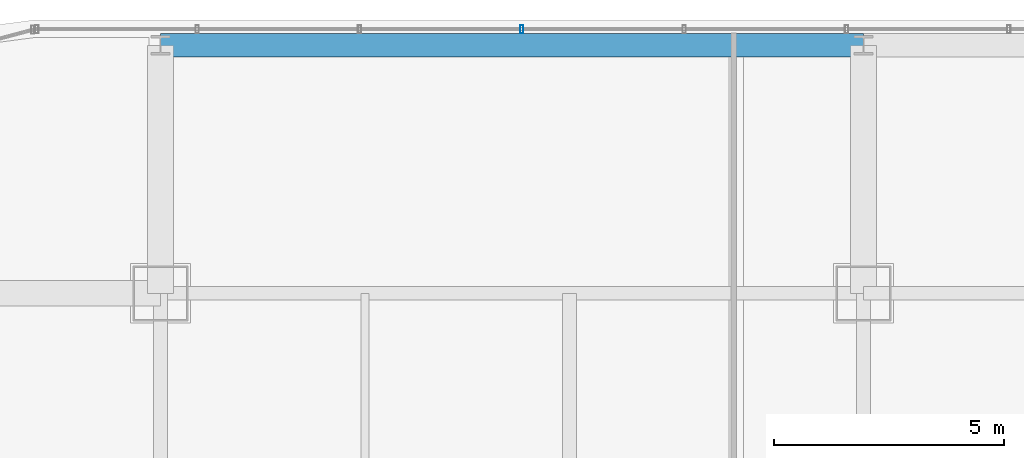
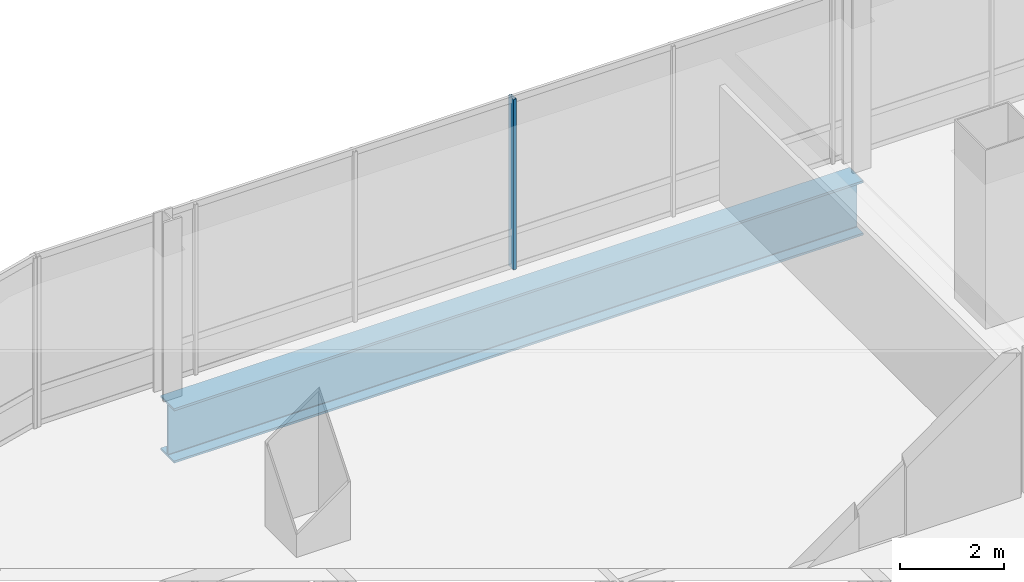
# One storey, part 24 of 41: 1 beam, 1 member, 1 element without a shape of its own.
"""IFC4 building model written with IfcOpenShell, lengths in metres."""

from ifc_helpers import new_model, si_unit, direction, frame, origin, origin_2d, place, context, subcontext, project, spatial, hollow_rectangle, i_section, extrude, material, material_profile, profile_set, type_object, element, aggregate, save


model = new_model("IFC4")

# Units and contexts
model_context = context("Model", 3, precision=1e-05, world=origin(), true_north=direction((0.0, 1.0)))
body_context = subcontext(model_context, "Body", "Model", "MODEL_VIEW")
ifc_project = project(units=[si_unit("LENGTHUNIT", "METRE"), si_unit("AREAUNIT", "SQUARE_METRE"), si_unit("VOLUMEUNIT", "CUBIC_METRE"), si_unit("PLANEANGLEUNIT", "RADIAN"), si_unit("MASSUNIT", "GRAM", prefix="KILO")], contexts=[model_context])

# Site, building, storey
site_placement = place(None, origin())
site = spatial("IfcSite", under=ifc_project, at=site_placement, CompositionType="ELEMENT")
building_placement = place(site_placement, origin())
building = spatial("IfcBuilding", under=site, at=building_placement, Name="Punatoya Terracotta Tower", CompositionType="ELEMENT")
storey_placement = place(building_placement, frame((0.0, 0.0, 288.0)))
storey = spatial("IfcBuildingStorey", under=building, at=storey_placement, Name="L68", CompositionType="ELEMENT", Elevation=288.0)

# Beam
ifc_material_1 = material(Name="Steel S460", Category="steel")
ifc_material_profile_1 = material_profile(ifc_material_1, i_section(OverallWidth=0.52001953125, OverallDepth=1.280029296875, WebThickness=0.031982421875, FlangeThickness=0.050048828125, FilletRadius=0.01806640625, at=origin_2d()))
ifc_profile_set_1 = profile_set([ifc_material_profile_1], Name="Steel S460")
beam_type = type_object("IfcBeamType", Name="BM-TG-NCK", PredefinedType="BEAM", material=ifc_profile_set_1)
beam_placement = place(storey_placement, frame((-19.10009765625, 22.89990234375, -0.840087890625), z_axis=(1.0, 0.0, 0.0), x_axis=(0.0, 1.0, 0.0)))
element("IfcBeam", 1, at=beam_placement, inside=storey, type_object=beam_type, Name="BM-L68-PER-N1", PredefinedType="BEAM", context=body_context, shape_type="SweptSolid", body=[
    extrude(i_section(OverallWidth=0.52001953125, OverallDepth=1.280029296875, WebThickness=0.031982421875, FlangeThickness=0.050048828125, FilletRadius=0.01806640625, at=origin_2d()), origin(), (0.0, 0.0, 1.0), 15.300048828125),
])

# Curtain wall, member
ifc_material_2 = material(Name="Aluminium 6063-T6 + Double Low-E Glass", Category="aluminium")
curtain_wall_type = type_object("IfcCurtainWallType", Name="CW-M3", PredefinedType="NOTDEFINED", material=ifc_material_2)
curtain_wall_placement = place(storey_placement, origin())
curtain_wall = element("IfcCurtainWall", 2, at=curtain_wall_placement, inside=storey, type_object=curtain_wall_type, Name="L68 Curtain Wall CW-L68-N09-1", PredefinedType="NOTDEFINED")
ifc_material_3 = material(Name="Aluminium 6063-T6", Category="aluminium")
ifc_material_profile_2 = material_profile(ifc_material_3, hollow_rectangle(XDim=0.070068359375, YDim=0.179931640625, WallThickness=0.00390625, at=origin_2d()))
ifc_profile_set_2 = profile_set([ifc_material_profile_2], Name="Aluminium 6063-T6")
member_type = type_object("IfcMemberType", Name="CW-MUL-M3", PredefinedType="MULLION", material=ifc_profile_set_2)
member_placement = place(storey_placement, frame((-11.235107421875, 23.25, 0.0), z_axis=(0.0, 0.0, 1.0), x_axis=(1.0, 0.0, 0.0)))
member = element("IfcMember", 3, at=member_placement, type_object=member_type, Name="CW-L68-N09-1 Mullion 08", PredefinedType="MULLION", context=body_context, shape_type="SweptSolid", body=[
    extrude(hollow_rectangle(XDim=0.070068359375, YDim=0.179931640625, WallThickness=0.00390625, at=origin_2d()), origin(), (0.0, 0.0, 1.0), 4.0),
])
aggregate(curtain_wall, [member])

save(model, "model.ifc")
